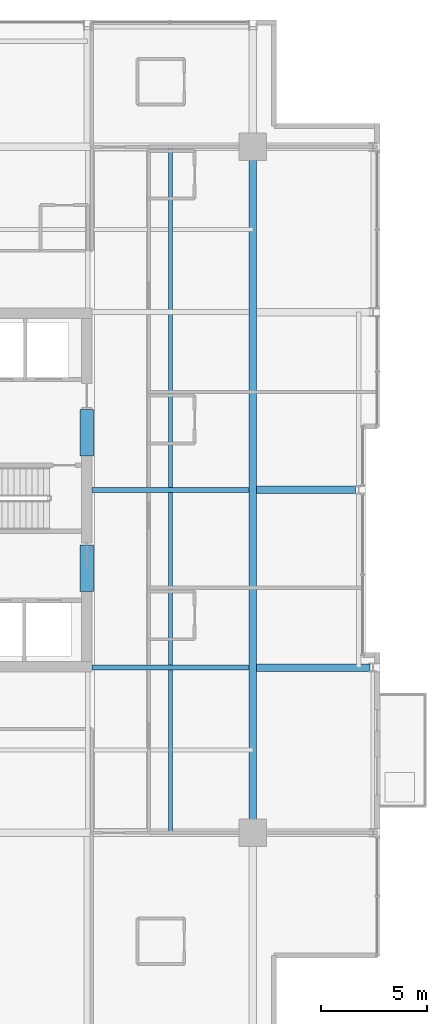
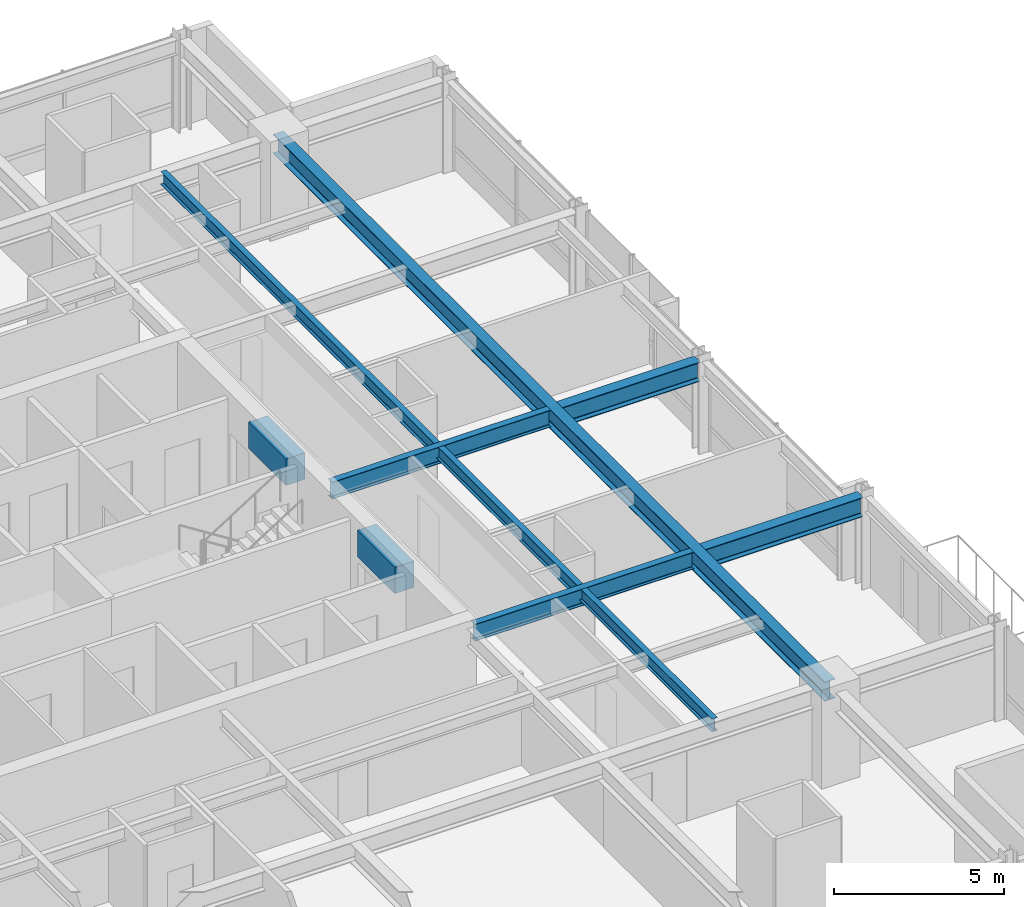
# One storey, part 14 of 32: 8 beams.
"""IFC4 building model written with IfcOpenShell, lengths in metres."""

from ifc_helpers import new_model, si_unit, direction, frame, origin, origin_2d, place, context, subcontext, project, spatial, rectangle, i_section, extrude, material, material_profile, profile_set, type_object, element, save


model = new_model("IFC4")

# Units and contexts
model_context = context("Model", 3, precision=1e-05, world=origin(), true_north=direction((0.0, 1.0)))
body_context = subcontext(model_context, "Body", "Model", "MODEL_VIEW")
ifc_project = project(units=[si_unit("LENGTHUNIT", "METRE"), si_unit("AREAUNIT", "SQUARE_METRE"), si_unit("VOLUMEUNIT", "CUBIC_METRE"), si_unit("PLANEANGLEUNIT", "RADIAN"), si_unit("MASSUNIT", "GRAM", prefix="KILO")], contexts=[model_context])

# Site, building, storey
site_placement = place(None, origin())
site = spatial("IfcSite", under=ifc_project, at=site_placement, CompositionType="ELEMENT")
building_placement = place(site_placement, origin())
building = spatial("IfcBuilding", under=site, at=building_placement, Name="Drelvath Grand Hotel", CompositionType="ELEMENT")
storey_placement = place(building_placement, frame((0.0, 0.0, 164.60009765625)))
storey = spatial("IfcBuildingStorey", under=building, at=storey_placement, Name="L42", CompositionType="ELEMENT", Elevation=164.60009765625)

# Beams
ifc_material_1 = material(Name="Steel ASTM A992 Gr 50", Category="steel")
ifc_material_profile_1 = material_profile(ifc_material_1, i_section(OverallWidth=0.19140625, OverallDepth=0.4599609375, WebThickness=0.010009765625, FlangeThickness=0.01611328125, FilletRadius=0.01611328125, at=origin_2d()), Name="W18X55")
ifc_profile_set_1 = profile_set([ifc_material_profile_1], Name="Steel ASTM A992 Gr 50")
beam_type_1 = type_object("IfcBeamType", Name="Composite Floor Joist W18X55", PredefinedType="JOIST", material=ifc_profile_set_1)
beam_1_placement = place(storey_placement, frame((12.300048828125, 10.800048828125, 3.059814453125), z_axis=(0.0, 1.0, 0.0), x_axis=(-1.0, 0.0, 0.0)))
element("IfcBeam", 1, at=beam_1_placement, inside=storey, type_object=beam_type_1, Name="L42 Wing Floor Joist J4", PredefinedType="JOIST", context=body_context, shape_type="SweptSolid", body=[
    extrude(i_section(OverallWidth=0.19140625, OverallDepth=0.4599609375, WebThickness=0.010009765625, FlangeThickness=0.01611328125, FilletRadius=0.01611328125, at=origin_2d()), origin(), (0.0, 0.0, 1.0), 32.39990234375),
])
ifc_material_2 = material(Name="Concrete f'c 55 MPa", Category="concrete")
ifc_material_profile_2 = material_profile(ifc_material_2, rectangle(XDim=0.64990234375, YDim=0.949951171875, at=origin_2d()), Name="CB650X950")
ifc_profile_set_2 = profile_set([ifc_material_profile_2], Name="Concrete f'c 55 MPa")
beam_type_2 = type_object("IfcBeamType", Name="Core Coupling Lintel CB650X950", PredefinedType="LINTEL", material=ifc_profile_set_2)
for number, where, z_axis, x_axis, name in (
    (2, (8.35009765625, 22.199951171875, 2.81494140625), (0.0, 1.0, 0.0), (-1.0, 0.0, 0.0), "L42 Core Coupling Lintel ES"),
    (3, (8.35009765625, 28.60009765625, 2.81494140625), (0.0, 1.0, 0.0), (-1.0, 0.0, 0.0), "L42 Core Coupling Lintel EN"),
):
    element("IfcBeam", number, at=place(storey_placement, frame(where, z_axis=z_axis, x_axis=x_axis)), inside=storey, type_object=beam_type_2, Name=name, PredefinedType="LINTEL", context=body_context, shape_type="SweptSolid", body=[
        extrude(rectangle(XDim=0.64990234375, YDim=0.949951171875, at=origin_2d()), origin(), (0.0, 0.0, 1.0), 2.199951171875),
    ])
ifc_material_profile_3 = material_profile(ifc_material_1, i_section(OverallWidth=0.228271484375, OverallDepth=0.607666015625, WebThickness=0.01123046875, FlangeThickness=0.017333984375, FilletRadius=0.02001953125, at=origin_2d()), Name="W24X76")
ifc_profile_set_3 = profile_set([ifc_material_profile_3], Name="Steel ASTM A992 Gr 50")
beam_type_3 = type_object("IfcBeamType", Name="Primary Floor Girder W24X76", PredefinedType="BEAM", material=ifc_profile_set_3)
for number, where, z_axis, x_axis, name in (
    (4, (8.60009765625, 18.60009765625, 2.986083984375), (1.0, 0.0, 0.0), (0.0, 1.0, 0.0), "L42 East Core Tie D"),
    (5, (8.60009765625, 27.0, 2.986083984375), (1.0, 0.0, 0.0), (0.0, 1.0, 0.0), "L42 East Core Tie E"),
):
    element("IfcBeam", number, at=place(storey_placement, frame(where, z_axis=z_axis, x_axis=x_axis)), inside=storey, type_object=beam_type_3, Name=name, PredefinedType="BEAM", context=body_context, shape_type="SweptSolid", body=[
        extrude(i_section(OverallWidth=0.228271484375, OverallDepth=0.607666015625, WebThickness=0.01123046875, FlangeThickness=0.017333984375, FilletRadius=0.02001953125, at=origin_2d()), origin(), (0.0, 0.0, 1.0), 7.422607421875),
    ])
ifc_material_profile_4 = material_profile(ifc_material_1, i_section(OverallWidth=0.354736328125, OverallDepth=0.695556640625, WebThickness=0.015380859375, FlangeThickness=0.025146484375, FilletRadius=0.02392578125, at=origin_2d()), Name="W27X146")
ifc_profile_set_4 = profile_set([ifc_material_profile_4], Name="Steel ASTM A992 Gr 50")
beam_type_4 = type_object("IfcBeamType", Name="Primary Floor Girder W27X146", PredefinedType="BEAM", material=ifc_profile_set_4)
beam_2_placement = place(storey_placement, frame((16.199951171875, 10.800048828125, 2.942138671875), z_axis=(0.0, 1.0, 0.0), x_axis=(-1.0, 0.0, 0.0)))
element("IfcBeam", 6, at=beam_2_placement, inside=storey, type_object=beam_type_4, Name="L42 Mega Ring Girder East", PredefinedType="BEAM", context=body_context, shape_type="SweptSolid", body=[
    extrude(i_section(OverallWidth=0.354736328125, OverallDepth=0.695556640625, WebThickness=0.015380859375, FlangeThickness=0.025146484375, FilletRadius=0.02392578125, at=origin_2d()), origin(), (0.0, 0.0, 1.0), 32.39990234375),
])
beam_3_placement = place(storey_placement, frame((16.37744140625, 18.60009765625, 2.942138671875), z_axis=(1.0, 0.0, 0.0), x_axis=(0.0, 1.0, 0.0)))
element("IfcBeam", 7, at=beam_3_placement, inside=storey, type_object=beam_type_4, Name="L42 East Wing Girder D", PredefinedType="BEAM", context=body_context, shape_type="SweptSolid", body=[
    extrude(i_section(OverallWidth=0.354736328125, OverallDepth=0.695556640625, WebThickness=0.015380859375, FlangeThickness=0.025146484375, FilletRadius=0.02392578125, at=origin_2d()), origin(), (0.0, 0.0, 1.0), 5.362548828125),
])
beam_4_placement = place(storey_placement, frame((16.37744140625, 27.0, 2.942138671875), z_axis=(1.0, 0.0, 0.0), x_axis=(0.0, 1.0, 0.0)))
element("IfcBeam", 8, at=beam_4_placement, inside=storey, type_object=beam_type_4, Name="L42 East Wing Girder E", PredefinedType="BEAM", context=body_context, shape_type="SweptSolid", body=[
    extrude(i_section(OverallWidth=0.354736328125, OverallDepth=0.695556640625, WebThickness=0.015380859375, FlangeThickness=0.025146484375, FilletRadius=0.02392578125, at=origin_2d()), origin(), (0.0, 0.0, 1.0), 4.6826171875),
])

save(model, "model.ifc")
